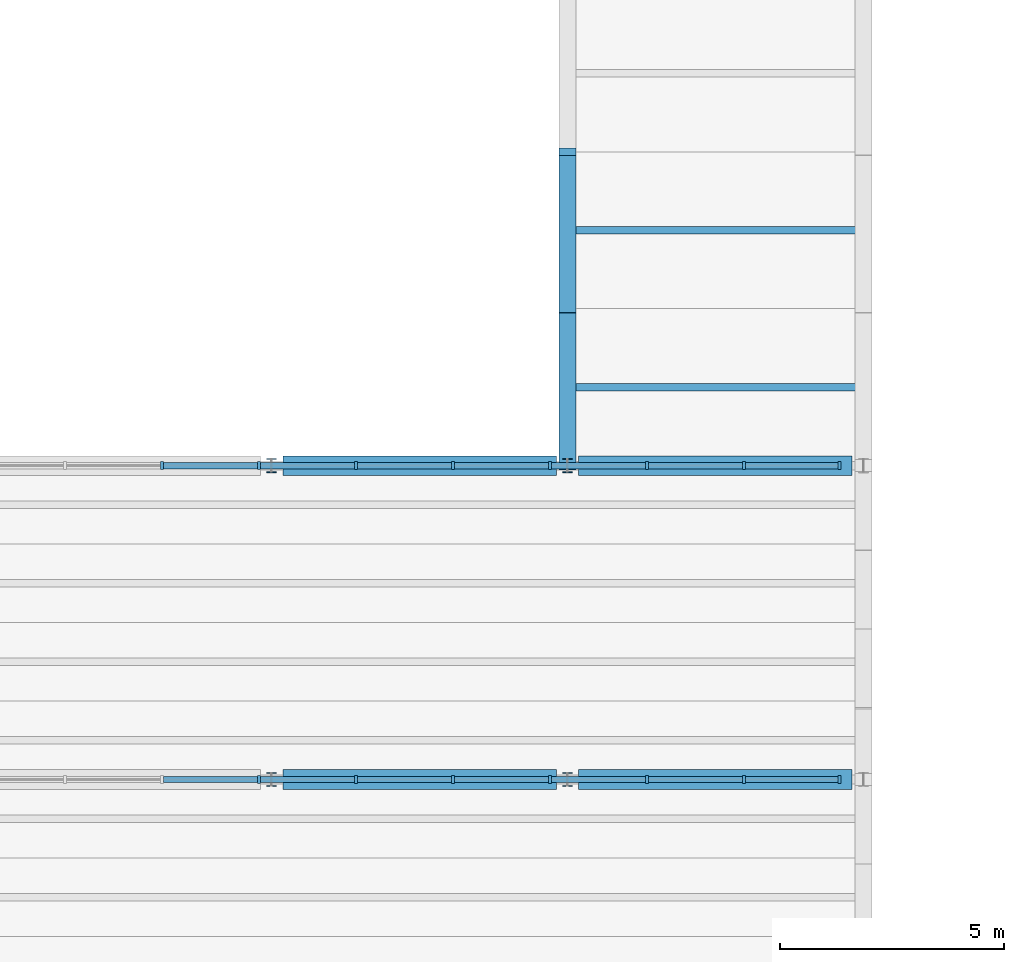
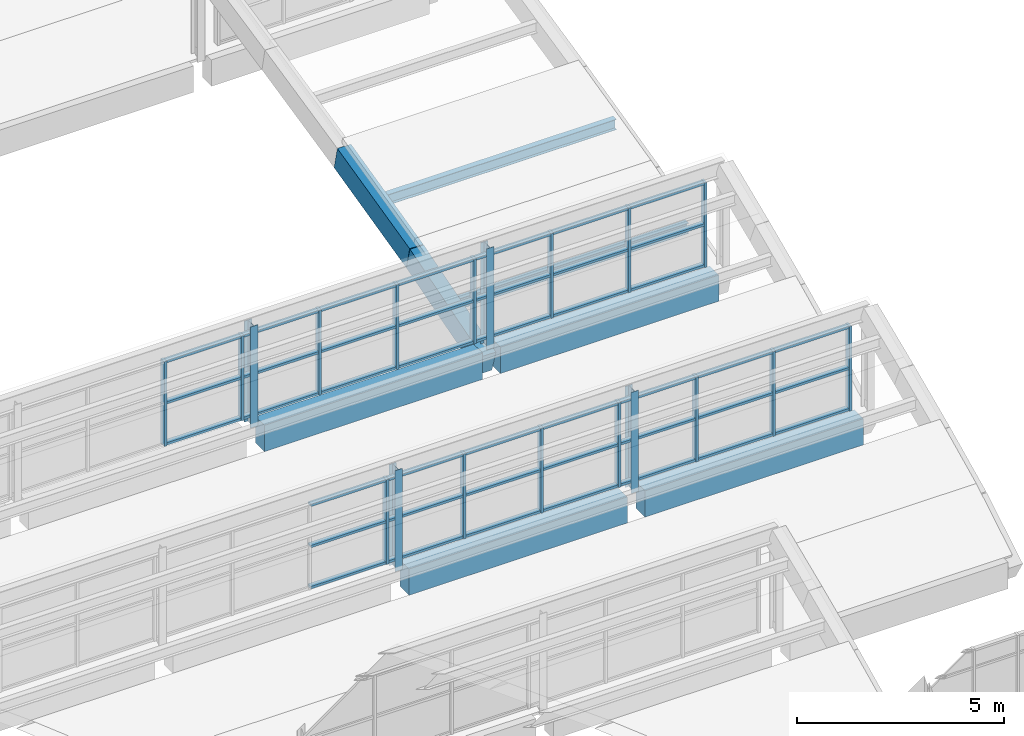
# One storey, part 35 of 92: 63 members, 6 beams, 2 elements without a shape of their own.
"""IFC4 building model written with IfcOpenShell, lengths in metres."""

from ifc_helpers import new_model, si_unit, direction, frame, origin, origin_2d, place, context, subcontext, project, spatial, rectangle, i_section, extrude, material, material_profile, profile_set, type_object, element, aggregate, save


model = new_model("IFC4")

# Units and contexts
model_context = context("Model", 3, precision=1e-05, world=origin(), true_north=direction((0.0, 1.0)))
body_context = subcontext(model_context, "Body", "Model", "MODEL_VIEW")
ifc_project = project(units=[si_unit("LENGTHUNIT", "METRE"), si_unit("AREAUNIT", "SQUARE_METRE"), si_unit("VOLUMEUNIT", "CUBIC_METRE"), si_unit("PLANEANGLEUNIT", "RADIAN"), si_unit("MASSUNIT", "GRAM", prefix="KILO")], contexts=[model_context])

# Site, building, storey
site_placement = place(None, origin())
site = spatial("IfcSite", under=ifc_project, at=site_placement, CompositionType="ELEMENT")
building_placement = place(site_placement, origin())
building = spatial("IfcBuilding", under=site, at=building_placement, Name="Ciguamira Faculty of Natural Sciences", CompositionType="ELEMENT")
storey_placement = place(building_placement, frame((0.0, 0.0, 16.800048828125)))
storey = spatial("IfcBuildingStorey", under=building, at=storey_placement, Name="L04", CompositionType="ELEMENT", Elevation=16.800048828125)

# Curtain wall, members
ifc_material_1 = material(Name="Anodized aluminium curtain wall", Category="aluminium")
curtain_wall_type_1 = type_object("IfcCurtainWallType", Name="CurtainWall_CW-03", PredefinedType="USERDEFINED", material=ifc_material_1)
curtain_wall_1_placement = place(storey_placement, origin())
curtain_wall_1 = element("IfcCurtainWall", 1, at=curtain_wall_1_placement, inside=storey, type_object=curtain_wall_type_1, Name="V4 north-light wave 2 clerestory glazing 1", ObjectType="UNITISED CURTAIN WALL", PredefinedType="USERDEFINED")
ifc_material_2 = material(Name="Anodized aluminium mullion", Category="aluminium")
ifc_material_profile_1 = material_profile(ifc_material_2, rectangle(XDim=0.070068359375, YDim=0.179931640625, at=origin_2d()), Name="ALU-MUL-70X180")
ifc_profile_set_1 = profile_set([ifc_material_profile_1], Name="Anodized aluminium mullion")
member_type_1 = type_object("IfcMemberType", Name="CWMullion_CWM-02", PredefinedType="MULLION", material=ifc_profile_set_1)
member_1_placement = place(storey_placement, frame((103.22216796875, 52.0, 0.25), z_axis=(0.0, 0.0, 1.0), x_axis=(1.0, 0.0, 0.0)))
member_1 = element("IfcMember", 2, at=member_1_placement, type_object=member_type_1, Name="CW-03 mullion 22", PredefinedType="MULLION", context=body_context, shape_type="SweptSolid", body=[
    extrude(rectangle(XDim=0.070068359375, YDim=0.179931640625, at=origin_2d()), origin(), (0.0, 0.0, 1.0), 2.5),
])
member_2_placement = place(storey_placement, frame((105.38525390625, 52.0, 0.25), z_axis=(0.0, 0.0, 1.0), x_axis=(1.0, 0.0, 0.0)))
member_2 = element("IfcMember", 3, at=member_2_placement, type_object=member_type_1, Name="CW-03 mullion 23", PredefinedType="MULLION", context=body_context, shape_type="SweptSolid", body=[
    extrude(rectangle(XDim=0.070068359375, YDim=0.179931640625, at=origin_2d()), origin(), (0.0, 0.0, 1.0), 2.5),
])
member_3_placement = place(storey_placement, frame((107.548095703125, 52.0, 0.25), z_axis=(0.0, 0.0, 1.0), x_axis=(1.0, 0.0, 0.0)))
member_3 = element("IfcMember", 4, at=member_3_placement, type_object=member_type_1, Name="CW-03 mullion 24", PredefinedType="MULLION", context=body_context, shape_type="SweptSolid", body=[
    extrude(rectangle(XDim=0.070068359375, YDim=0.179931640625, at=origin_2d()), origin(), (0.0, 0.0, 1.0), 2.5),
])
member_4_placement = place(storey_placement, frame((109.711181640625, 52.0, 0.25), z_axis=(0.0, 0.0, 1.0), x_axis=(1.0, 0.0, 0.0)))
member_4 = element("IfcMember", 5, at=member_4_placement, type_object=member_type_1, Name="CW-03 mullion 25", PredefinedType="MULLION", context=body_context, shape_type="SweptSolid", body=[
    extrude(rectangle(XDim=0.070068359375, YDim=0.179931640625, at=origin_2d()), origin(), (0.0, 0.0, 1.0), 2.5),
])
member_5_placement = place(storey_placement, frame((111.8740234375, 52.0, 0.25), z_axis=(0.0, 0.0, 1.0), x_axis=(1.0, 0.0, 0.0)))
member_5 = element("IfcMember", 6, at=member_5_placement, type_object=member_type_1, Name="CW-03 mullion 26", PredefinedType="MULLION", context=body_context, shape_type="SweptSolid", body=[
    extrude(rectangle(XDim=0.070068359375, YDim=0.179931640625, at=origin_2d()), origin(), (0.0, 0.0, 1.0), 2.5),
])
member_6_placement = place(storey_placement, frame((114.037109375, 52.0, 0.25), z_axis=(0.0, 0.0, 1.0), x_axis=(1.0, 0.0, 0.0)))
member_6 = element("IfcMember", 7, at=member_6_placement, type_object=member_type_1, Name="CW-03 mullion 27", PredefinedType="MULLION", context=body_context, shape_type="SweptSolid", body=[
    extrude(rectangle(XDim=0.070068359375, YDim=0.179931640625, at=origin_2d()), origin(), (0.0, 0.0, 1.0), 2.5),
])
member_7_placement = place(storey_placement, frame((116.1650390625, 52.0, 0.25), z_axis=(0.0, 0.0, 1.0), x_axis=(1.0, 0.0, 0.0)))
member_7 = element("IfcMember", 8, at=member_7_placement, type_object=member_type_1, Name="CW-03 mullion 28", PredefinedType="MULLION", context=body_context, shape_type="SweptSolid", body=[
    extrude(rectangle(XDim=0.070068359375, YDim=0.179931640625, at=origin_2d()), origin(), (0.0, 0.0, 1.0), 2.5),
])

curtain_wall_type_2 = type_object("IfcCurtainWallType", Name="CurtainWall_CW-04", PredefinedType="USERDEFINED", material=ifc_material_1)
curtain_wall_2_placement = place(storey_placement, origin())
curtain_wall_2 = element("IfcCurtainWall", 9, at=curtain_wall_2_placement, inside=storey, type_object=curtain_wall_type_2, Name="V4 north-light wave 3 clerestory glazing 1", ObjectType="UNITISED CURTAIN WALL", PredefinedType="USERDEFINED")
member_8_placement = place(storey_placement, frame((101.059326171875, 59.0, 0.25), z_axis=(0.0, 0.0, 1.0), x_axis=(1.0, 0.0, 0.0)))
member_8 = element("IfcMember", 10, at=member_8_placement, type_object=member_type_1, Name="CW-04 mullion 21", PredefinedType="MULLION", context=body_context, shape_type="SweptSolid", body=[
    extrude(rectangle(XDim=0.070068359375, YDim=0.179931640625, at=origin_2d()), origin(), (0.0, 0.0, 1.0), 2.5),
])
member_9_placement = place(storey_placement, frame((103.22216796875, 59.0, 0.25), z_axis=(0.0, 0.0, 1.0), x_axis=(1.0, 0.0, 0.0)))
member_9 = element("IfcMember", 11, at=member_9_placement, type_object=member_type_1, Name="CW-04 mullion 22", PredefinedType="MULLION", context=body_context, shape_type="SweptSolid", body=[
    extrude(rectangle(XDim=0.070068359375, YDim=0.179931640625, at=origin_2d()), origin(), (0.0, 0.0, 1.0), 2.5),
])
member_10_placement = place(storey_placement, frame((105.38525390625, 59.0, 0.25), z_axis=(0.0, 0.0, 1.0), x_axis=(1.0, 0.0, 0.0)))
member_10 = element("IfcMember", 12, at=member_10_placement, type_object=member_type_1, Name="CW-04 mullion 23", PredefinedType="MULLION", context=body_context, shape_type="SweptSolid", body=[
    extrude(rectangle(XDim=0.070068359375, YDim=0.179931640625, at=origin_2d()), origin(), (0.0, 0.0, 1.0), 2.5),
])
member_11_placement = place(storey_placement, frame((107.548095703125, 59.0, 0.25), z_axis=(0.0, 0.0, 1.0), x_axis=(1.0, 0.0, 0.0)))
member_11 = element("IfcMember", 13, at=member_11_placement, type_object=member_type_1, Name="CW-04 mullion 24", PredefinedType="MULLION", context=body_context, shape_type="SweptSolid", body=[
    extrude(rectangle(XDim=0.070068359375, YDim=0.179931640625, at=origin_2d()), origin(), (0.0, 0.0, 1.0), 2.5),
])
member_12_placement = place(storey_placement, frame((109.711181640625, 59.0, 0.25), z_axis=(0.0, 0.0, 1.0), x_axis=(1.0, 0.0, 0.0)))
member_12 = element("IfcMember", 14, at=member_12_placement, type_object=member_type_1, Name="CW-04 mullion 25", PredefinedType="MULLION", context=body_context, shape_type="SweptSolid", body=[
    extrude(rectangle(XDim=0.070068359375, YDim=0.179931640625, at=origin_2d()), origin(), (0.0, 0.0, 1.0), 2.5),
])
member_13_placement = place(storey_placement, frame((111.8740234375, 59.0, 0.25), z_axis=(0.0, 0.0, 1.0), x_axis=(1.0, 0.0, 0.0)))
member_13 = element("IfcMember", 15, at=member_13_placement, type_object=member_type_1, Name="CW-04 mullion 26", PredefinedType="MULLION", context=body_context, shape_type="SweptSolid", body=[
    extrude(rectangle(XDim=0.070068359375, YDim=0.179931640625, at=origin_2d()), origin(), (0.0, 0.0, 1.0), 2.5),
])
member_14_placement = place(storey_placement, frame((114.037109375, 59.0, 0.25), z_axis=(0.0, 0.0, 1.0), x_axis=(1.0, 0.0, 0.0)))
member_14 = element("IfcMember", 16, at=member_14_placement, type_object=member_type_1, Name="CW-04 mullion 27", PredefinedType="MULLION", context=body_context, shape_type="SweptSolid", body=[
    extrude(rectangle(XDim=0.070068359375, YDim=0.179931640625, at=origin_2d()), origin(), (0.0, 0.0, 1.0), 2.5),
])
member_15_placement = place(storey_placement, frame((116.1650390625, 59.0, 0.25), z_axis=(0.0, 0.0, 1.0), x_axis=(1.0, 0.0, 0.0)))
member_15 = element("IfcMember", 17, at=member_15_placement, type_object=member_type_1, Name="CW-04 mullion 28", PredefinedType="MULLION", context=body_context, shape_type="SweptSolid", body=[
    extrude(rectangle(XDim=0.070068359375, YDim=0.179931640625, at=origin_2d()), origin(), (0.0, 0.0, 1.0), 2.5),
])

# Member
ifc_material_3 = material(Name="Anodized aluminium transom", Category="aluminium")
ifc_material_profile_2 = material_profile(ifc_material_3, rectangle(XDim=0.070068359375, YDim=0.139892578125, at=origin_2d()), Name="ALU-TRN-70X140")
ifc_profile_set_2 = profile_set([ifc_material_profile_2], Name="Anodized aluminium transom")
member_type_2 = type_object("IfcMemberType", Name="CWTransom_CWT-02", PredefinedType="USERDEFINED", material=ifc_profile_set_2)
member_16_placement = place(storey_placement, frame((101.09423828125, 52.0, 0.284912109375), z_axis=(1.0, 0.0, 0.0), x_axis=(0.0, 0.0, 1.0)))
member_16 = element("IfcMember", 18, at=member_16_placement, type_object=member_type_2, Name="CW-03 transom 21.1", ObjectType="TRANSOM", PredefinedType="USERDEFINED", context=body_context, shape_type="SweptSolid", body=[
    extrude(rectangle(XDim=0.070068359375, YDim=0.139892578125, at=origin_2d()), origin(), (0.0, 0.0, 1.0), 2.093017578125),
])

member_17_placement = place(storey_placement, frame((101.09423828125, 52.0, 1.5), z_axis=(1.0, 0.0, 0.0), x_axis=(0.0, 0.0, 1.0)))
member_17 = element("IfcMember", 19, at=member_17_placement, type_object=member_type_2, Name="CW-03 transom 21.2", ObjectType="TRANSOM", PredefinedType="USERDEFINED", context=body_context, shape_type="SweptSolid", body=[
    extrude(rectangle(XDim=0.070068359375, YDim=0.139892578125, at=origin_2d()), origin(), (0.0, 0.0, 1.0), 2.093017578125),
])

member_18_placement = place(storey_placement, frame((101.09423828125, 52.0, 2.71484375), z_axis=(1.0, 0.0, 0.0), x_axis=(0.0, 0.0, 1.0)))
member_18 = element("IfcMember", 20, at=member_18_placement, type_object=member_type_2, Name="CW-03 transom 21.3", ObjectType="TRANSOM", PredefinedType="USERDEFINED", context=body_context, shape_type="SweptSolid", body=[
    extrude(rectangle(XDim=0.070068359375, YDim=0.139892578125, at=origin_2d()), origin(), (0.0, 0.0, 1.0), 2.093017578125),
])

member_19_placement = place(storey_placement, frame((103.25732421875, 52.0, 0.284912109375), z_axis=(1.0, 0.0, 0.0), x_axis=(0.0, 0.0, 1.0)))
member_19 = element("IfcMember", 21, at=member_19_placement, type_object=member_type_2, Name="CW-03 transom 22.1", ObjectType="TRANSOM", PredefinedType="USERDEFINED", context=body_context, shape_type="SweptSolid", body=[
    extrude(rectangle(XDim=0.070068359375, YDim=0.139892578125, at=origin_2d()), origin(), (0.0, 0.0, 1.0), 2.0927734375),
])

member_20_placement = place(storey_placement, frame((103.25732421875, 52.0, 1.5), z_axis=(1.0, 0.0, 0.0), x_axis=(0.0, 0.0, 1.0)))
member_20 = element("IfcMember", 22, at=member_20_placement, type_object=member_type_2, Name="CW-03 transom 22.2", ObjectType="TRANSOM", PredefinedType="USERDEFINED", context=body_context, shape_type="SweptSolid", body=[
    extrude(rectangle(XDim=0.070068359375, YDim=0.139892578125, at=origin_2d()), origin(), (0.0, 0.0, 1.0), 2.0927734375),
])

member_21_placement = place(storey_placement, frame((103.25732421875, 52.0, 2.71484375), z_axis=(1.0, 0.0, 0.0), x_axis=(0.0, 0.0, 1.0)))
member_21 = element("IfcMember", 23, at=member_21_placement, type_object=member_type_2, Name="CW-03 transom 22.3", ObjectType="TRANSOM", PredefinedType="USERDEFINED", context=body_context, shape_type="SweptSolid", body=[
    extrude(rectangle(XDim=0.070068359375, YDim=0.139892578125, at=origin_2d()), origin(), (0.0, 0.0, 1.0), 2.0927734375),
])

member_22_placement = place(storey_placement, frame((105.420166015625, 52.0, 0.284912109375), z_axis=(1.0, 0.0, 0.0), x_axis=(0.0, 0.0, 1.0)))
member_22 = element("IfcMember", 24, at=member_22_placement, type_object=member_type_2, Name="CW-03 transom 23.1", ObjectType="TRANSOM", PredefinedType="USERDEFINED", context=body_context, shape_type="SweptSolid", body=[
    extrude(rectangle(XDim=0.070068359375, YDim=0.139892578125, at=origin_2d()), origin(), (0.0, 0.0, 1.0), 2.093017578125),
])

member_23_placement = place(storey_placement, frame((105.420166015625, 52.0, 1.5), z_axis=(1.0, 0.0, 0.0), x_axis=(0.0, 0.0, 1.0)))
member_23 = element("IfcMember", 25, at=member_23_placement, type_object=member_type_2, Name="CW-03 transom 23.2", ObjectType="TRANSOM", PredefinedType="USERDEFINED", context=body_context, shape_type="SweptSolid", body=[
    extrude(rectangle(XDim=0.070068359375, YDim=0.139892578125, at=origin_2d()), origin(), (0.0, 0.0, 1.0), 2.093017578125),
])

member_24_placement = place(storey_placement, frame((105.420166015625, 52.0, 2.71484375), z_axis=(1.0, 0.0, 0.0), x_axis=(0.0, 0.0, 1.0)))
member_24 = element("IfcMember", 26, at=member_24_placement, type_object=member_type_2, Name="CW-03 transom 23.3", ObjectType="TRANSOM", PredefinedType="USERDEFINED", context=body_context, shape_type="SweptSolid", body=[
    extrude(rectangle(XDim=0.070068359375, YDim=0.139892578125, at=origin_2d()), origin(), (0.0, 0.0, 1.0), 2.093017578125),
])

member_25_placement = place(storey_placement, frame((107.583251953125, 52.0, 0.284912109375), z_axis=(1.0, 0.0, 0.0), x_axis=(0.0, 0.0, 1.0)))
member_25 = element("IfcMember", 27, at=member_25_placement, type_object=member_type_2, Name="CW-03 transom 24.1", ObjectType="TRANSOM", PredefinedType="USERDEFINED", context=body_context, shape_type="SweptSolid", body=[
    extrude(rectangle(XDim=0.070068359375, YDim=0.139892578125, at=origin_2d()), origin(), (0.0, 0.0, 1.0), 2.0927734375),
])

member_26_placement = place(storey_placement, frame((107.583251953125, 52.0, 1.5), z_axis=(1.0, 0.0, 0.0), x_axis=(0.0, 0.0, 1.0)))
member_26 = element("IfcMember", 28, at=member_26_placement, type_object=member_type_2, Name="CW-03 transom 24.2", ObjectType="TRANSOM", PredefinedType="USERDEFINED", context=body_context, shape_type="SweptSolid", body=[
    extrude(rectangle(XDim=0.070068359375, YDim=0.139892578125, at=origin_2d()), origin(), (0.0, 0.0, 1.0), 2.0927734375),
])

member_27_placement = place(storey_placement, frame((107.583251953125, 52.0, 2.71484375), z_axis=(1.0, 0.0, 0.0), x_axis=(0.0, 0.0, 1.0)))
member_27 = element("IfcMember", 29, at=member_27_placement, type_object=member_type_2, Name="CW-03 transom 24.3", ObjectType="TRANSOM", PredefinedType="USERDEFINED", context=body_context, shape_type="SweptSolid", body=[
    extrude(rectangle(XDim=0.070068359375, YDim=0.139892578125, at=origin_2d()), origin(), (0.0, 0.0, 1.0), 2.0927734375),
])

member_28_placement = place(storey_placement, frame((109.74609375, 52.0, 0.284912109375), z_axis=(1.0, 0.0, 0.0), x_axis=(0.0, 0.0, 1.0)))
member_28 = element("IfcMember", 30, at=member_28_placement, type_object=member_type_2, Name="CW-03 transom 25.1", ObjectType="TRANSOM", PredefinedType="USERDEFINED", context=body_context, shape_type="SweptSolid", body=[
    extrude(rectangle(XDim=0.070068359375, YDim=0.139892578125, at=origin_2d()), origin(), (0.0, 0.0, 1.0), 2.093017578125),
])

member_29_placement = place(storey_placement, frame((109.74609375, 52.0, 1.5), z_axis=(1.0, 0.0, 0.0), x_axis=(0.0, 0.0, 1.0)))
member_29 = element("IfcMember", 31, at=member_29_placement, type_object=member_type_2, Name="CW-03 transom 25.2", ObjectType="TRANSOM", PredefinedType="USERDEFINED", context=body_context, shape_type="SweptSolid", body=[
    extrude(rectangle(XDim=0.070068359375, YDim=0.139892578125, at=origin_2d()), origin(), (0.0, 0.0, 1.0), 2.093017578125),
])

member_30_placement = place(storey_placement, frame((109.74609375, 52.0, 2.71484375), z_axis=(1.0, 0.0, 0.0), x_axis=(0.0, 0.0, 1.0)))
member_30 = element("IfcMember", 32, at=member_30_placement, type_object=member_type_2, Name="CW-03 transom 25.3", ObjectType="TRANSOM", PredefinedType="USERDEFINED", context=body_context, shape_type="SweptSolid", body=[
    extrude(rectangle(XDim=0.070068359375, YDim=0.139892578125, at=origin_2d()), origin(), (0.0, 0.0, 1.0), 2.093017578125),
])

member_31_placement = place(storey_placement, frame((111.9091796875, 52.0, 0.284912109375), z_axis=(1.0, 0.0, 0.0), x_axis=(0.0, 0.0, 1.0)))
member_31 = element("IfcMember", 33, at=member_31_placement, type_object=member_type_2, Name="CW-03 transom 26.1", ObjectType="TRANSOM", PredefinedType="USERDEFINED", context=body_context, shape_type="SweptSolid", body=[
    extrude(rectangle(XDim=0.070068359375, YDim=0.139892578125, at=origin_2d()), origin(), (0.0, 0.0, 1.0), 2.0927734375),
])

member_32_placement = place(storey_placement, frame((111.9091796875, 52.0, 1.5), z_axis=(1.0, 0.0, 0.0), x_axis=(0.0, 0.0, 1.0)))
member_32 = element("IfcMember", 34, at=member_32_placement, type_object=member_type_2, Name="CW-03 transom 26.2", ObjectType="TRANSOM", PredefinedType="USERDEFINED", context=body_context, shape_type="SweptSolid", body=[
    extrude(rectangle(XDim=0.070068359375, YDim=0.139892578125, at=origin_2d()), origin(), (0.0, 0.0, 1.0), 2.0927734375),
])

member_33_placement = place(storey_placement, frame((111.9091796875, 52.0, 2.71484375), z_axis=(1.0, 0.0, 0.0), x_axis=(0.0, 0.0, 1.0)))
member_33 = element("IfcMember", 35, at=member_33_placement, type_object=member_type_2, Name="CW-03 transom 26.3", ObjectType="TRANSOM", PredefinedType="USERDEFINED", context=body_context, shape_type="SweptSolid", body=[
    extrude(rectangle(XDim=0.070068359375, YDim=0.139892578125, at=origin_2d()), origin(), (0.0, 0.0, 1.0), 2.0927734375),
])

member_34_placement = place(storey_placement, frame((114.072021484375, 52.0, 0.284912109375), z_axis=(1.0, 0.0, 0.0), x_axis=(0.0, 0.0, 1.0)))
member_34 = element("IfcMember", 36, at=member_34_placement, type_object=member_type_2, Name="CW-03 transom 27.1", ObjectType="TRANSOM", PredefinedType="USERDEFINED", context=body_context, shape_type="SweptSolid", body=[
    extrude(rectangle(XDim=0.070068359375, YDim=0.139892578125, at=origin_2d()), origin(), (0.0, 0.0, 1.0), 2.057861328125),
])

member_35_placement = place(storey_placement, frame((114.072021484375, 52.0, 1.5), z_axis=(1.0, 0.0, 0.0), x_axis=(0.0, 0.0, 1.0)))
member_35 = element("IfcMember", 37, at=member_35_placement, type_object=member_type_2, Name="CW-03 transom 27.2", ObjectType="TRANSOM", PredefinedType="USERDEFINED", context=body_context, shape_type="SweptSolid", body=[
    extrude(rectangle(XDim=0.070068359375, YDim=0.139892578125, at=origin_2d()), origin(), (0.0, 0.0, 1.0), 2.057861328125),
])

member_36_placement = place(storey_placement, frame((114.072021484375, 52.0, 2.71484375), z_axis=(1.0, 0.0, 0.0), x_axis=(0.0, 0.0, 1.0)))
member_36 = element("IfcMember", 38, at=member_36_placement, type_object=member_type_2, Name="CW-03 transom 27.3", ObjectType="TRANSOM", PredefinedType="USERDEFINED", context=body_context, shape_type="SweptSolid", body=[
    extrude(rectangle(XDim=0.070068359375, YDim=0.139892578125, at=origin_2d()), origin(), (0.0, 0.0, 1.0), 2.057861328125),
])

aggregate(curtain_wall_1, [member_1, member_2, member_3, member_4, member_5, member_6, member_7, member_16, member_17, member_18, member_19, member_20, member_21, member_22, member_23, member_24, member_25, member_26, member_27, member_28, member_29, member_30, member_31, member_32, member_33, member_34, member_35, member_36])

member_37_placement = place(storey_placement, frame((101.09423828125, 59.0, 0.284912109375), z_axis=(1.0, 0.0, 0.0), x_axis=(0.0, 0.0, 1.0)))
member_37 = element("IfcMember", 39, at=member_37_placement, type_object=member_type_2, Name="CW-04 transom 21.1", ObjectType="TRANSOM", PredefinedType="USERDEFINED", context=body_context, shape_type="SweptSolid", body=[
    extrude(rectangle(XDim=0.070068359375, YDim=0.139892578125, at=origin_2d()), origin(), (0.0, 0.0, 1.0), 2.093017578125),
])

member_38_placement = place(storey_placement, frame((101.09423828125, 59.0, 1.5), z_axis=(1.0, 0.0, 0.0), x_axis=(0.0, 0.0, 1.0)))
member_38 = element("IfcMember", 40, at=member_38_placement, type_object=member_type_2, Name="CW-04 transom 21.2", ObjectType="TRANSOM", PredefinedType="USERDEFINED", context=body_context, shape_type="SweptSolid", body=[
    extrude(rectangle(XDim=0.070068359375, YDim=0.139892578125, at=origin_2d()), origin(), (0.0, 0.0, 1.0), 2.093017578125),
])

member_39_placement = place(storey_placement, frame((101.09423828125, 59.0, 2.71484375), z_axis=(1.0, 0.0, 0.0), x_axis=(0.0, 0.0, 1.0)))
member_39 = element("IfcMember", 41, at=member_39_placement, type_object=member_type_2, Name="CW-04 transom 21.3", ObjectType="TRANSOM", PredefinedType="USERDEFINED", context=body_context, shape_type="SweptSolid", body=[
    extrude(rectangle(XDim=0.070068359375, YDim=0.139892578125, at=origin_2d()), origin(), (0.0, 0.0, 1.0), 2.093017578125),
])

member_40_placement = place(storey_placement, frame((103.25732421875, 59.0, 0.284912109375), z_axis=(1.0, 0.0, 0.0), x_axis=(0.0, 0.0, 1.0)))
member_40 = element("IfcMember", 42, at=member_40_placement, type_object=member_type_2, Name="CW-04 transom 22.1", ObjectType="TRANSOM", PredefinedType="USERDEFINED", context=body_context, shape_type="SweptSolid", body=[
    extrude(rectangle(XDim=0.070068359375, YDim=0.139892578125, at=origin_2d()), origin(), (0.0, 0.0, 1.0), 2.0927734375),
])

member_41_placement = place(storey_placement, frame((103.25732421875, 59.0, 1.5), z_axis=(1.0, 0.0, 0.0), x_axis=(0.0, 0.0, 1.0)))
member_41 = element("IfcMember", 43, at=member_41_placement, type_object=member_type_2, Name="CW-04 transom 22.2", ObjectType="TRANSOM", PredefinedType="USERDEFINED", context=body_context, shape_type="SweptSolid", body=[
    extrude(rectangle(XDim=0.070068359375, YDim=0.139892578125, at=origin_2d()), origin(), (0.0, 0.0, 1.0), 2.0927734375),
])

member_42_placement = place(storey_placement, frame((103.25732421875, 59.0, 2.71484375), z_axis=(1.0, 0.0, 0.0), x_axis=(0.0, 0.0, 1.0)))
member_42 = element("IfcMember", 44, at=member_42_placement, type_object=member_type_2, Name="CW-04 transom 22.3", ObjectType="TRANSOM", PredefinedType="USERDEFINED", context=body_context, shape_type="SweptSolid", body=[
    extrude(rectangle(XDim=0.070068359375, YDim=0.139892578125, at=origin_2d()), origin(), (0.0, 0.0, 1.0), 2.0927734375),
])

member_43_placement = place(storey_placement, frame((105.420166015625, 59.0, 0.284912109375), z_axis=(1.0, 0.0, 0.0), x_axis=(0.0, 0.0, 1.0)))
member_43 = element("IfcMember", 45, at=member_43_placement, type_object=member_type_2, Name="CW-04 transom 23.1", ObjectType="TRANSOM", PredefinedType="USERDEFINED", context=body_context, shape_type="SweptSolid", body=[
    extrude(rectangle(XDim=0.070068359375, YDim=0.139892578125, at=origin_2d()), origin(), (0.0, 0.0, 1.0), 2.093017578125),
])

member_44_placement = place(storey_placement, frame((105.420166015625, 59.0, 1.5), z_axis=(1.0, 0.0, 0.0), x_axis=(0.0, 0.0, 1.0)))
member_44 = element("IfcMember", 46, at=member_44_placement, type_object=member_type_2, Name="CW-04 transom 23.2", ObjectType="TRANSOM", PredefinedType="USERDEFINED", context=body_context, shape_type="SweptSolid", body=[
    extrude(rectangle(XDim=0.070068359375, YDim=0.139892578125, at=origin_2d()), origin(), (0.0, 0.0, 1.0), 2.093017578125),
])

member_45_placement = place(storey_placement, frame((105.420166015625, 59.0, 2.71484375), z_axis=(1.0, 0.0, 0.0), x_axis=(0.0, 0.0, 1.0)))
member_45 = element("IfcMember", 47, at=member_45_placement, type_object=member_type_2, Name="CW-04 transom 23.3", ObjectType="TRANSOM", PredefinedType="USERDEFINED", context=body_context, shape_type="SweptSolid", body=[
    extrude(rectangle(XDim=0.070068359375, YDim=0.139892578125, at=origin_2d()), origin(), (0.0, 0.0, 1.0), 2.093017578125),
])

member_46_placement = place(storey_placement, frame((107.583251953125, 59.0, 0.284912109375), z_axis=(1.0, 0.0, 0.0), x_axis=(0.0, 0.0, 1.0)))
member_46 = element("IfcMember", 48, at=member_46_placement, type_object=member_type_2, Name="CW-04 transom 24.1", ObjectType="TRANSOM", PredefinedType="USERDEFINED", context=body_context, shape_type="SweptSolid", body=[
    extrude(rectangle(XDim=0.070068359375, YDim=0.139892578125, at=origin_2d()), origin(), (0.0, 0.0, 1.0), 2.0927734375),
])

member_47_placement = place(storey_placement, frame((107.583251953125, 59.0, 1.5), z_axis=(1.0, 0.0, 0.0), x_axis=(0.0, 0.0, 1.0)))
member_47 = element("IfcMember", 49, at=member_47_placement, type_object=member_type_2, Name="CW-04 transom 24.2", ObjectType="TRANSOM", PredefinedType="USERDEFINED", context=body_context, shape_type="SweptSolid", body=[
    extrude(rectangle(XDim=0.070068359375, YDim=0.139892578125, at=origin_2d()), origin(), (0.0, 0.0, 1.0), 2.0927734375),
])

member_48_placement = place(storey_placement, frame((107.583251953125, 59.0, 2.71484375), z_axis=(1.0, 0.0, 0.0), x_axis=(0.0, 0.0, 1.0)))
member_48 = element("IfcMember", 50, at=member_48_placement, type_object=member_type_2, Name="CW-04 transom 24.3", ObjectType="TRANSOM", PredefinedType="USERDEFINED", context=body_context, shape_type="SweptSolid", body=[
    extrude(rectangle(XDim=0.070068359375, YDim=0.139892578125, at=origin_2d()), origin(), (0.0, 0.0, 1.0), 2.0927734375),
])

member_49_placement = place(storey_placement, frame((109.74609375, 59.0, 0.284912109375), z_axis=(1.0, 0.0, 0.0), x_axis=(0.0, 0.0, 1.0)))
member_49 = element("IfcMember", 51, at=member_49_placement, type_object=member_type_2, Name="CW-04 transom 25.1", ObjectType="TRANSOM", PredefinedType="USERDEFINED", context=body_context, shape_type="SweptSolid", body=[
    extrude(rectangle(XDim=0.070068359375, YDim=0.139892578125, at=origin_2d()), origin(), (0.0, 0.0, 1.0), 2.093017578125),
])

member_50_placement = place(storey_placement, frame((109.74609375, 59.0, 1.5), z_axis=(1.0, 0.0, 0.0), x_axis=(0.0, 0.0, 1.0)))
member_50 = element("IfcMember", 52, at=member_50_placement, type_object=member_type_2, Name="CW-04 transom 25.2", ObjectType="TRANSOM", PredefinedType="USERDEFINED", context=body_context, shape_type="SweptSolid", body=[
    extrude(rectangle(XDim=0.070068359375, YDim=0.139892578125, at=origin_2d()), origin(), (0.0, 0.0, 1.0), 2.093017578125),
])

member_51_placement = place(storey_placement, frame((109.74609375, 59.0, 2.71484375), z_axis=(1.0, 0.0, 0.0), x_axis=(0.0, 0.0, 1.0)))
member_51 = element("IfcMember", 53, at=member_51_placement, type_object=member_type_2, Name="CW-04 transom 25.3", ObjectType="TRANSOM", PredefinedType="USERDEFINED", context=body_context, shape_type="SweptSolid", body=[
    extrude(rectangle(XDim=0.070068359375, YDim=0.139892578125, at=origin_2d()), origin(), (0.0, 0.0, 1.0), 2.093017578125),
])

member_52_placement = place(storey_placement, frame((111.9091796875, 59.0, 0.284912109375), z_axis=(1.0, 0.0, 0.0), x_axis=(0.0, 0.0, 1.0)))
member_52 = element("IfcMember", 54, at=member_52_placement, type_object=member_type_2, Name="CW-04 transom 26.1", ObjectType="TRANSOM", PredefinedType="USERDEFINED", context=body_context, shape_type="SweptSolid", body=[
    extrude(rectangle(XDim=0.070068359375, YDim=0.139892578125, at=origin_2d()), origin(), (0.0, 0.0, 1.0), 2.0927734375),
])

member_53_placement = place(storey_placement, frame((111.9091796875, 59.0, 1.5), z_axis=(1.0, 0.0, 0.0), x_axis=(0.0, 0.0, 1.0)))
member_53 = element("IfcMember", 55, at=member_53_placement, type_object=member_type_2, Name="CW-04 transom 26.2", ObjectType="TRANSOM", PredefinedType="USERDEFINED", context=body_context, shape_type="SweptSolid", body=[
    extrude(rectangle(XDim=0.070068359375, YDim=0.139892578125, at=origin_2d()), origin(), (0.0, 0.0, 1.0), 2.0927734375),
])

member_54_placement = place(storey_placement, frame((111.9091796875, 59.0, 2.71484375), z_axis=(1.0, 0.0, 0.0), x_axis=(0.0, 0.0, 1.0)))
member_54 = element("IfcMember", 56, at=member_54_placement, type_object=member_type_2, Name="CW-04 transom 26.3", ObjectType="TRANSOM", PredefinedType="USERDEFINED", context=body_context, shape_type="SweptSolid", body=[
    extrude(rectangle(XDim=0.070068359375, YDim=0.139892578125, at=origin_2d()), origin(), (0.0, 0.0, 1.0), 2.0927734375),
])

member_55_placement = place(storey_placement, frame((114.072021484375, 59.0, 0.284912109375), z_axis=(1.0, 0.0, 0.0), x_axis=(0.0, 0.0, 1.0)))
member_55 = element("IfcMember", 57, at=member_55_placement, type_object=member_type_2, Name="CW-04 transom 27.1", ObjectType="TRANSOM", PredefinedType="USERDEFINED", context=body_context, shape_type="SweptSolid", body=[
    extrude(rectangle(XDim=0.070068359375, YDim=0.139892578125, at=origin_2d()), origin(), (0.0, 0.0, 1.0), 2.057861328125),
])

member_56_placement = place(storey_placement, frame((114.072021484375, 59.0, 1.5), z_axis=(1.0, 0.0, 0.0), x_axis=(0.0, 0.0, 1.0)))
member_56 = element("IfcMember", 58, at=member_56_placement, type_object=member_type_2, Name="CW-04 transom 27.2", ObjectType="TRANSOM", PredefinedType="USERDEFINED", context=body_context, shape_type="SweptSolid", body=[
    extrude(rectangle(XDim=0.070068359375, YDim=0.139892578125, at=origin_2d()), origin(), (0.0, 0.0, 1.0), 2.057861328125),
])

member_57_placement = place(storey_placement, frame((114.072021484375, 59.0, 2.71484375), z_axis=(1.0, 0.0, 0.0), x_axis=(0.0, 0.0, 1.0)))
member_57 = element("IfcMember", 59, at=member_57_placement, type_object=member_type_2, Name="CW-04 transom 27.3", ObjectType="TRANSOM", PredefinedType="USERDEFINED", context=body_context, shape_type="SweptSolid", body=[
    extrude(rectangle(XDim=0.070068359375, YDim=0.139892578125, at=origin_2d()), origin(), (0.0, 0.0, 1.0), 2.057861328125),
])

aggregate(curtain_wall_2, [member_8, member_9, member_10, member_11, member_12, member_13, member_14, member_15, member_37, member_38, member_39, member_40, member_41, member_42, member_43, member_44, member_45, member_46, member_47, member_48, member_49, member_50, member_51, member_52, member_53, member_54, member_55, member_56, member_57])

# Beams
ifc_material_4 = material(Name="Concrete C40/50", Category="concrete")
ifc_material_profile_3 = material_profile(ifc_material_4, rectangle(XDim=0.43994140625, YDim=0.780029296875, at=origin_2d()), Name="RC-BM-440X780")
ifc_profile_set_3 = profile_set([ifc_material_profile_3], Name="Concrete C40/50")
beam_type_1 = type_object("IfcBeamType", Name="RCBeam_BG-06_RC-BM-440X780", PredefinedType="BEAM", material=ifc_profile_set_3)
beam_1_placement = place(storey_placement, frame((103.75, 52.0, -0.39013671875), z_axis=(1.0, 0.0, 0.0), x_axis=(0.0, 1.0, 0.0)))
element("IfcBeam", 60, at=beam_1_placement, inside=storey, type_object=beam_type_1, Name="V4 north-light wave 2 RC valley beam NVL-1-8", PredefinedType="BEAM", context=body_context, shape_type="SweptSolid", body=[
    extrude(rectangle(XDim=0.43994140625, YDim=0.780029296875, at=origin_2d()), origin(), (0.0, 0.0, 1.0), 6.10009765625),
])
beam_2_placement = place(storey_placement, frame((110.35009765625, 52.0, -0.39013671875), z_axis=(1.0, 0.0, 0.0), x_axis=(0.0, 1.0, 0.0)))
element("IfcBeam", 61, at=beam_2_placement, inside=storey, type_object=beam_type_1, Name="V4 north-light wave 2 RC valley beam NVL-1-9", PredefinedType="BEAM", context=body_context, shape_type="SweptSolid", body=[
    extrude(rectangle(XDim=0.43994140625, YDim=0.780029296875, at=origin_2d()), origin(), (0.0, 0.0, 1.0), 6.099853515625),
])
beam_3_placement = place(storey_placement, frame((103.75, 59.0, -0.39013671875), z_axis=(1.0, 0.0, 0.0), x_axis=(0.0, 1.0, 0.0)))
element("IfcBeam", 62, at=beam_3_placement, inside=storey, type_object=beam_type_1, Name="V4 north-light wave 3 RC valley beam NVL-1-8", PredefinedType="BEAM", context=body_context, shape_type="SweptSolid", body=[
    extrude(rectangle(XDim=0.43994140625, YDim=0.780029296875, at=origin_2d()), origin(), (0.0, 0.0, 1.0), 6.10009765625),
])
beam_4_placement = place(storey_placement, frame((110.35009765625, 59.0, -0.39013671875), z_axis=(1.0, 0.0, 0.0), x_axis=(0.0, 1.0, 0.0)))
element("IfcBeam", 63, at=beam_4_placement, inside=storey, type_object=beam_type_1, Name="V4 north-light wave 3 RC valley beam NVL-1-9", PredefinedType="BEAM", context=body_context, shape_type="SweptSolid", body=[
    extrude(rectangle(XDim=0.43994140625, YDim=0.780029296875, at=origin_2d()), origin(), (0.0, 0.0, 1.0), 6.099853515625),
])
ifc_material_profile_4 = material_profile(ifc_material_4, rectangle(XDim=0.3798828125, YDim=0.679931640625, at=origin_2d()), Name="RC-BM-380X680")
ifc_profile_set_4 = profile_set([ifc_material_profile_4], Name="Concrete C40/50")
beam_type_2 = type_object("IfcBeamType", Name="RCBeam_BG-09_RC-BM-380X680", PredefinedType="BEAM", material=ifc_profile_set_4)
beam_5_placement = place(storey_placement, frame((110.10009765625, 59.0, -0.52001953125), z_axis=(0.0, 0.958098086918, 0.286440318117), x_axis=(-1.0, 0.0, 0.0)))
element("IfcBeam", 64, at=beam_5_placement, inside=storey, type_object=beam_type_2, Name="V4 wave roof RC edge arch rib 4-2-1-1", PredefinedType="BEAM", context=body_context, shape_type="SweptSolid", body=[
    extrude(rectangle(XDim=0.3798828125, YDim=0.679931640625, at=origin_2d()), origin(), (0.0, 0.0, 1.0), 3.653076171875),
])
beam_6_placement = place(storey_placement, frame((110.10009765625, 62.5, 0.5263671875), z_axis=(0.0, 0.972397152231, 0.233331905948), x_axis=(-1.0, 0.0, 0.0)))
element("IfcBeam", 65, at=beam_6_placement, inside=storey, type_object=beam_type_2, Name="V4 wave roof RC edge arch rib 4-2-2-1", PredefinedType="BEAM", context=body_context, shape_type="SweptSolid", body=[
    extrude(rectangle(XDim=0.3798828125, YDim=0.679931640625, at=origin_2d()), origin(), (0.0, 0.0, 1.0), 3.599365234375),
])

# Members
ifc_material_5 = material(Name="Steel ASTM A992 Grade 50", Category="steel")
ifc_material_profile_5 = material_profile(ifc_material_5, i_section(OverallWidth=0.164794921875, OverallDepth=0.309814453125, WebThickness=0.005859375, FlangeThickness=0.009765625, at=origin_2d()), Name="W12X26")
ifc_profile_set_5 = profile_set([ifc_material_profile_5], Name="Steel ASTM A992 Grade 50")
member_type_3 = type_object("IfcMemberType", Name="SteelMember_PR-02_W12X26", PredefinedType="PURLIN", material=ifc_profile_set_5)
for number, where, z_axis, x_axis, name in (
    (66, (110.10009765625, 60.75, 0.148193359375), (1.0, 0.0, 0.0), (0.0, 1.0, 0.0), "V4 wave roof steel purlin 4-2-1"),
    (67, (110.10009765625, 64.25, 1.091552734375), (1.0, 0.0, 0.0), (0.0, 1.0, 0.0), "V4 wave roof steel purlin 4-2-2"),
):
    element("IfcMember", number, at=place(storey_placement, frame(where, z_axis=z_axis, x_axis=x_axis)), inside=storey, type_object=member_type_3, Name=name, PredefinedType="PURLIN", context=body_context, shape_type="SweptSolid", body=[
        extrude(i_section(OverallWidth=0.164794921875, OverallDepth=0.309814453125, WebThickness=0.005859375, FlangeThickness=0.009765625, at=origin_2d()), origin(), (0.0, 0.0, 1.0), 6.599853515625),
    ])
ifc_material_profile_6 = material_profile(ifc_material_5, i_section(OverallWidth=0.20458984375, OverallDepth=0.307373046875, WebThickness=0.008544921875, FlangeThickness=0.0146484375, at=origin_2d()), Name="W12X45")
ifc_profile_set_6 = profile_set([ifc_material_profile_6], Name="Steel ASTM A992 Grade 50")
member_type_4 = type_object("IfcMemberType", Name="SteelMember_TS-01_W12X45", PredefinedType="STRUT", material=ifc_profile_set_6)
for number, where, z_axis, x_axis, name in (
    (68, (103.5, 52.0, 0.0), (0.0, 0.0, 1.0), (1.0, 0.0, 0.0), "V4 north-light wave 2 clerestory post 104"),
    (69, (110.10009765625, 52.0, 0.0), (0.0, 0.0, 1.0), (1.0, 0.0, 0.0), "V4 north-light wave 2 clerestory post 110"),
    (70, (103.5, 59.0, 0.0), (0.0, 0.0, 1.0), (1.0, 0.0, 0.0), "V4 north-light wave 3 clerestory post 104"),
    (71, (110.10009765625, 59.0, 0.0), (0.0, 0.0, 1.0), (1.0, 0.0, 0.0), "V4 north-light wave 3 clerestory post 110"),
):
    element("IfcMember", number, at=place(storey_placement, frame(where, z_axis=z_axis, x_axis=x_axis)), inside=storey, type_object=member_type_4, Name=name, PredefinedType="STRUT", context=body_context, shape_type="SweptSolid", body=[
        extrude(i_section(OverallWidth=0.20458984375, OverallDepth=0.307373046875, WebThickness=0.008544921875, FlangeThickness=0.0146484375, at=origin_2d()), origin(), (0.0, 0.0, 1.0), 2.986328125),
    ])

save(model, "model.ifc")
